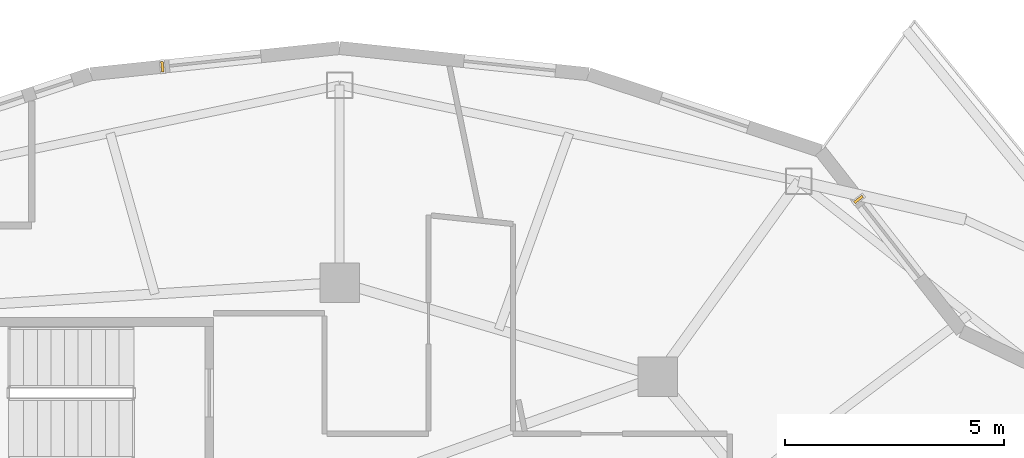
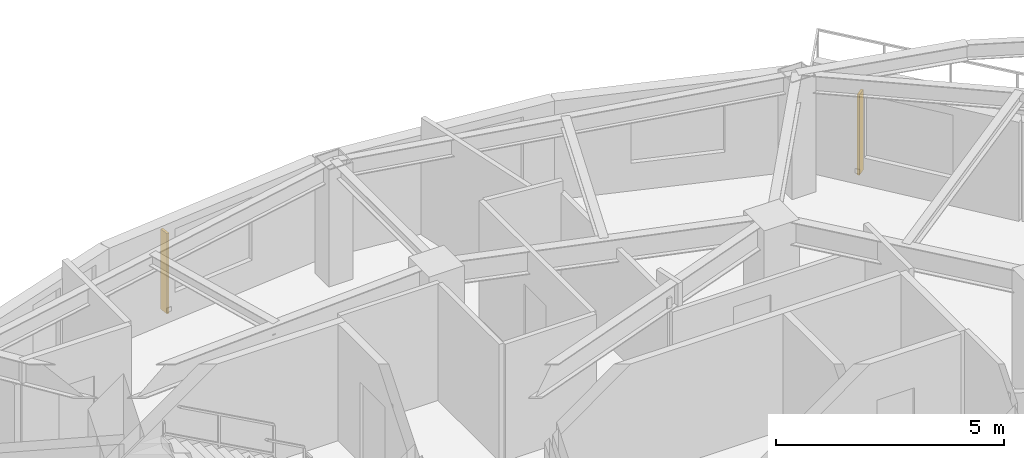
# One storey, part 10 of 10: 2 shading devices.
"""IFC4 building model written with IfcOpenShell, lengths in metres."""

from ifc_helpers import new_model, si_unit, direction, frame, origin, origin_2d, place, context, subcontext, project, spatial, rectangle, extrude, material, type_object, element, save


model = new_model("IFC4")

# Units and contexts
model_context = context("Model", 3, precision=1e-05, world=origin(), true_north=direction((0.0, 1.0)))
body_context = subcontext(model_context, "Body", "Model", "MODEL_VIEW")
ifc_project = project(units=[si_unit("LENGTHUNIT", "METRE"), si_unit("AREAUNIT", "SQUARE_METRE"), si_unit("VOLUMEUNIT", "CUBIC_METRE"), si_unit("PLANEANGLEUNIT", "RADIAN"), si_unit("MASSUNIT", "GRAM", prefix="KILO")], contexts=[model_context])

# Site, building, storey
site_placement = place(None, origin())
site = spatial("IfcSite", under=ifc_project, at=site_placement, CompositionType="ELEMENT")
building_placement = place(site_placement, origin())
building = spatial("IfcBuilding", under=site, at=building_placement, Name="Kolvaren Gate Tower and Convention Centre", CompositionType="ELEMENT")
storey_placement = place(building_placement, frame((0.0, 0.0, 152.89990234375)))
storey = spatial("IfcBuildingStorey", under=building, at=storey_placement, Name="L39", CompositionType="ELEMENT", Elevation=152.89990234375)

# Shading devices
ifc_material = material(Name="Kiln-Fired Bogota Terracotta Ceramic Louvre Profile", Category="masonry")
shading_device_type = type_object("IfcShadingDeviceType", Name="ARCH-SHD-FIN-180", PredefinedType="JALOUSIE", material=ifc_material)
for number, where, z_axis, x_axis, name in (
    (1, (41.9580078125, 41.0947265625, 0.22021484375), (0.0, 0.0, 1.0), (0.616434119112, -0.787406487651, 0.0), "Ceramic Vertical Brise-Soleil Fin FN-L39-03"),
    (2, (26.083251953125, 44.124267578125, 0.22021484375), (0.0, 0.0, 1.0), (0.994499249941, 0.104743696069, 0.0), "Ceramic Vertical Brise-Soleil Fin FN-L39-06"),
):
    element("IfcShadingDevice", number, at=place(storey_placement, frame(where, z_axis=z_axis, x_axis=x_axis)), inside=storey, type_object=shading_device_type, Name=name, PredefinedType="JALOUSIE", context=body_context, shape_type="SweptSolid", body=[
        extrude(rectangle(XDim=0.06005859375, YDim=0.239990234375, at=origin_2d()), origin(), (0.0, 0.0, 1.0), 2.14990234375),
    ])

save(model, "model.ifc")
